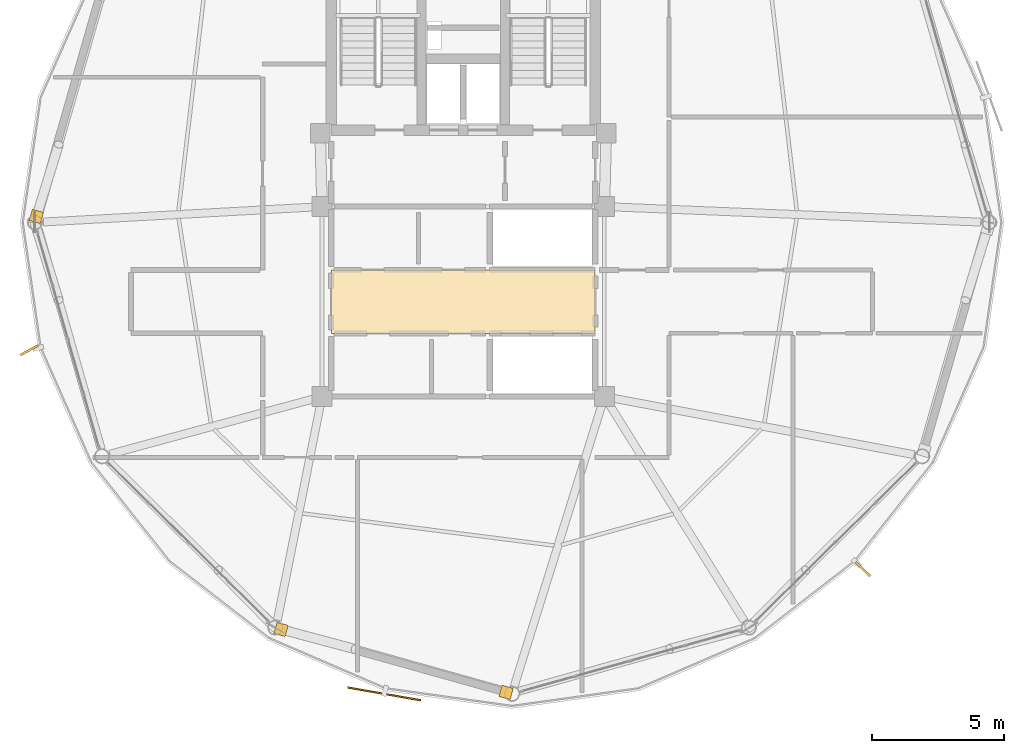
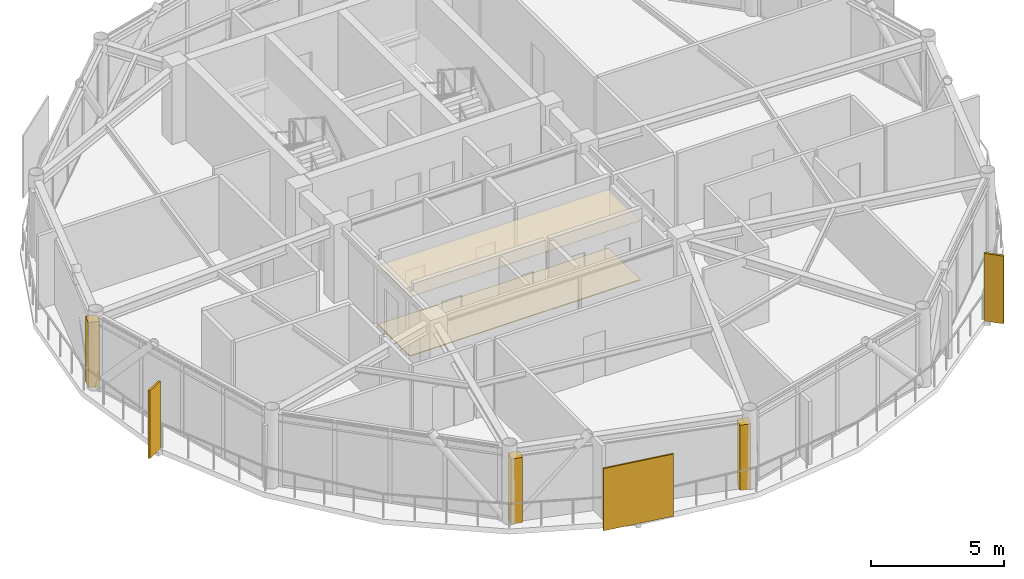
# One storey, part 23 of 26: 5 coverings, 3 shading devices.
"""IFC4 building model written with IfcOpenShell, lengths in metres."""

from ifc_helpers import new_model, si_unit, direction, frame, origin, origin_2d, place, context, subcontext, project, spatial, polyline, rectangle, outline, extrude, source, transform, mapped, material, layer, layer_set, type_object, type_shapes, element, save


model = new_model("IFC4")

# Units and contexts
model_context = context("Model", 3, precision=1e-05, world=origin(), true_north=direction((0.0, 1.0)))
body_context = subcontext(model_context, "Body", "Model", "MODEL_VIEW")
ifc_project = project(units=[si_unit("LENGTHUNIT", "METRE"), si_unit("AREAUNIT", "SQUARE_METRE"), si_unit("VOLUMEUNIT", "CUBIC_METRE"), si_unit("PLANEANGLEUNIT", "RADIAN"), si_unit("MASSUNIT", "GRAM", prefix="KILO")], contexts=[model_context])

# Site, building, storey
site_placement = place(None, origin())
site = spatial("IfcSite", under=ifc_project, at=site_placement, CompositionType="ELEMENT")
building_placement = place(site_placement, origin())
building = spatial("IfcBuilding", under=site, at=building_placement, Name="Varnakorn Sky Granary", CompositionType="ELEMENT")
storey_placement = place(building_placement, frame((0.0, 0.0, 270.60009765625)))
storey = spatial("IfcBuildingStorey", under=building, at=storey_placement, Name="L69", CompositionType="ELEMENT", Elevation=270.60009765625)

# Coverings
ifc_material_1 = material(Name="Perforated Acoustic Mineral-Fibre Ceiling", Category="gypsum")
ifc_layer_1 = layer(ifc_material_1, 0.02001953125, Name="Perforated Acoustic Mineral-Fibre Ceiling")
ifc_layer_set_1 = layer_set([ifc_layer_1], Name="Perforated Acoustic Mineral-Fibre Ceiling")
covering_type_1 = type_object("IfcCoveringType", Name="CV-CEIL-20", PredefinedType="CEILING", material=ifc_layer_set_1)
covering_1_placement = place(storey_placement, frame((0.0, 0.0, 2.7099609375)))
element("IfcCovering", 1, at=covering_1_placement, inside=storey, type_object=covering_type_1, Name="Lift Lobby Perforated Acoustic Ceiling L69", PredefinedType="CEILING", context=body_context, shape_type="SweptSolid", body=[
    extrude(outline(polyline([(-2.0, -4.199951171875), (8.0, -4.199951171875), (8.0, -1.800048828125), (-2.0, -1.800048828125), (-2.0, -4.199951171875)])), origin(), (0.0, 0.0, 1.0), 0.02001953125),
])
ifc_material_2 = material(Name="Honed Epoxy Terrazzo Topping", Category="concrete")
ifc_layer_2 = layer(ifc_material_2, 0.030029296875, Name="Honed Epoxy Terrazzo Topping")
ifc_layer_set_2 = layer_set([ifc_layer_2], Name="Honed Epoxy Terrazzo Topping")
covering_type_2 = type_object("IfcCoveringType", Name="CV-FLOR-30", PredefinedType="FLOORING", material=ifc_layer_set_2)
covering_2_placement = place(storey_placement, origin())
element("IfcCovering", 2, at=covering_2_placement, inside=storey, type_object=covering_type_2, Name="Lift Lobby Terrazzo Floor Finish L69", PredefinedType="FLOORING", context=body_context, shape_type="SweptSolid", body=[
    extrude(outline(polyline([(-2.0, -4.199951171875), (8.0, -4.199951171875), (8.0, -1.800048828125), (-2.0, -1.800048828125), (-2.0, -4.199951171875)])), origin(), (0.0, 0.0, 1.0), 0.02978515625),
])
ifc_material_3 = material(Name="Anodised Bronze Aluminium Alloy 6063-T6", Category="aluminium")
ifc_layer_3 = layer(ifc_material_3, 0.050048828125, Name="Anodised Bronze Aluminium Alloy 6063-T6")
ifc_layer_set_3 = layer_set([ifc_layer_3], Name="Anodised Bronze Aluminium Alloy 6063-T6")
covering_type_3 = type_object("IfcCoveringType", Name="CV-CLAD-50", PredefinedType="CLADDING", material=ifc_layer_set_3)
shared_shape_1 = source(origin(), body_context, "Body", "SweptSolid", [
    extrude(rectangle(XDim=0.43994140625, YDim=0.43994140625, at=origin_2d()), origin(), (0.0, 0.0, 1.0), 2.989990234375),
])
type_shapes(covering_type_3, [shared_shape_1])
for number, where, z_axis, x_axis, name in (
    (3, (-13.17431640625, 0.225341796875, -0.02001953125), (0.0, 0.0, 1.0), (0.275469579804, 0.961309789091, 0.0), "Bronze Corner Pilaster Closure L69-P06-A"),
    (4, (4.624267578125, -17.805908203125, -0.02001953125), (0.0, 0.0, 1.0), (-0.963021628687, 0.26942409447, 0.0), "Bronze Corner Pilaster Closure L69-P09-A"),
    (5, (-3.901123046875, -15.42138671875, -0.02001953125), (0.0, 0.0, 1.0), (-0.963021628687, 0.26942409447, 0.0), "Bronze Corner Pilaster Closure L69-P09-B"),
):
    element("IfcCovering", number, at=place(storey_placement, frame(where, z_axis=z_axis, x_axis=x_axis)), inside=storey, type_object=covering_type_3, Name=name, PredefinedType="CLADDING", context=body_context, shape_type="MappedRepresentation", body=[
        mapped(shared_shape_1, transform((0.0, 0.0, 0.0), x_axis=(1.0, 0.0, 0.0), y_axis=(0.0, 1.0, 0.0), z_axis=(0.0, 0.0, 1.0), scale=1.0)),
    ])

# Shading devices
shading_device_type_1 = type_object("IfcShadingDeviceType", Name="SH-FIN-03", PredefinedType="USERDEFINED", material=ifc_material_3)
shared_shape_2 = source(origin(), body_context, "Body", "SweptSolid", [
    extrude(rectangle(XDim=0.0849609375, YDim=0.760009765625, at=origin_2d()), origin(), (0.0, 0.0, 1.0), 3.10009765625),
])
type_shapes(shading_device_type_1, [shared_shape_2])
for number, where, z_axis, x_axis, name in (
    (6, (-13.439208984375, -4.84228515625, -0.0400390625), (0.0, 0.0, 1.0), (0.480731119426, -0.876868057815, 0.0), "Bronze Solar-Tracking Vertical Blade FIN L69-07"),
    (7, (18.144775390625, -13.135498046875, -0.0400390625), (0.0, 0.0, 1.0), (0.700428465756, 0.713722610234, 0.0), "Bronze Solar-Tracking Vertical Blade FIN L69-11"),
):
    element("IfcShadingDevice", number, at=place(storey_placement, frame(where, z_axis=z_axis, x_axis=x_axis)), inside=storey, type_object=shading_device_type_1, Name=name, ObjectType="FIN", PredefinedType="USERDEFINED", context=body_context, shape_type="MappedRepresentation", body=[
        mapped(shared_shape_2, transform((0.0, 0.0, 0.0), x_axis=(1.0, 0.0, 0.0), y_axis=(0.0, 1.0, 0.0), z_axis=(0.0, 0.0, 1.0), scale=1.0)),
    ])
shading_device_type_2 = type_object("IfcShadingDeviceType", Name="SH-SCR-03", PredefinedType="USERDEFINED", material=ifc_material_3)
shared_shape_3 = source(origin(), body_context, "Body", "SweptSolid", [
    extrude(rectangle(XDim=2.800048828125, YDim=0.06494140625, at=origin_2d()), origin(), (0.0, 0.0, 1.0), 2.85009765625),
])
type_shapes(shading_device_type_2, [shared_shape_3])
shading_device_placement = place(storey_placement, frame((0.005859375, -17.863525390625, -0.0400390625), z_axis=(0.0, 0.0, 1.0), x_axis=(0.985041935034, -0.172314788174, 0.0)))
element("IfcShadingDevice", 8, at=shading_device_placement, inside=storey, type_object=shading_device_type_2, Name="Perforated Bronze Solar Screen Panel SCREEN L69-09", ObjectType="SCREEN", PredefinedType="USERDEFINED", context=body_context, shape_type="MappedRepresentation", body=[
    mapped(shared_shape_3, transform((0.0, 0.0, 0.0), x_axis=(1.0, 0.0, 0.0), y_axis=(0.0, 1.0, 0.0), z_axis=(0.0, 0.0, 1.0), scale=1.0)),
])

save(model, "model.ifc")
